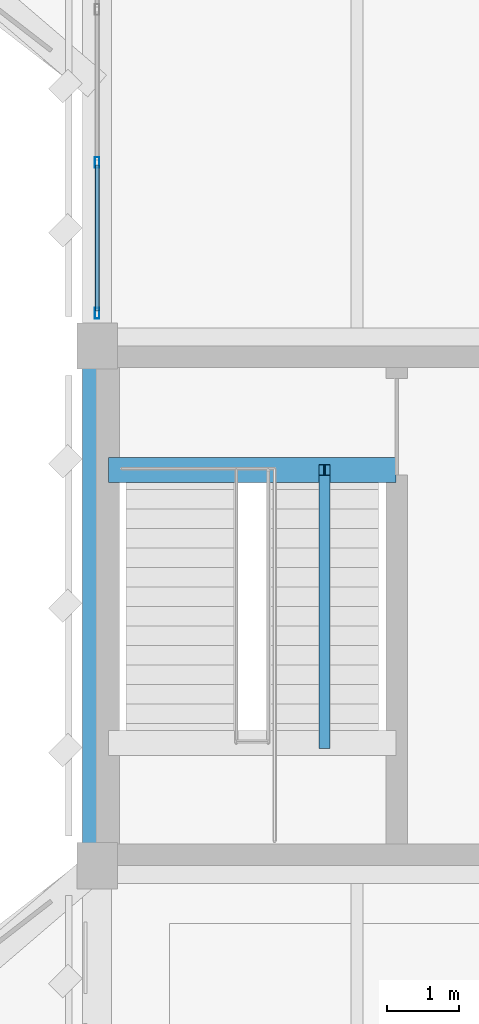
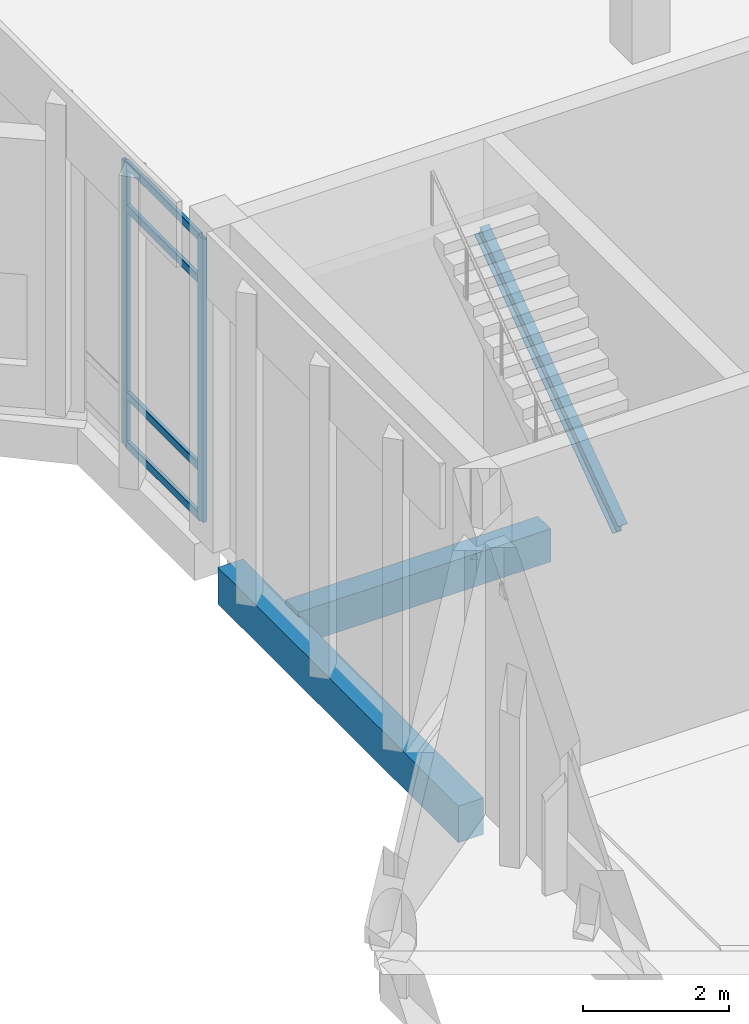
# One storey, part 53 of 180: 6 members, 3 beams, 1 element without a shape of its own.
"""IFC4 building model written with IfcOpenShell, lengths in metres."""

from ifc_helpers import new_model, si_unit, direction, frame, origin, origin_2d, place, context, subcontext, project, spatial, rectangle, hollow_rectangle, i_section, extrude, material, material_profile, profile_set, type_object, element, aggregate, save


model = new_model("IFC4")

# Units and contexts
model_context = context("Model", 3, precision=1e-05, world=origin(), true_north=direction((0.0, 1.0)))
body_context = subcontext(model_context, "Body", "Model", "MODEL_VIEW")
ifc_project = project(units=[si_unit("LENGTHUNIT", "METRE"), si_unit("AREAUNIT", "SQUARE_METRE"), si_unit("VOLUMEUNIT", "CUBIC_METRE"), si_unit("PLANEANGLEUNIT", "RADIAN"), si_unit("MASSUNIT", "GRAM", prefix="KILO")], contexts=[model_context])

# Site, building, storey
site_placement = place(None, origin())
site = spatial("IfcSite", under=ifc_project, at=site_placement, CompositionType="ELEMENT")
building_placement = place(site_placement, origin())
building = spatial("IfcBuilding", under=site, at=building_placement, Name="Lusvemor Sports Hall", CompositionType="ELEMENT")
storey_placement = place(building_placement, frame((0.0, 0.0, 5.39990234375)))
storey = spatial("IfcBuildingStorey", under=building, at=storey_placement, Name="L01", CompositionType="ELEMENT", Elevation=5.39990234375)

# Beam
ifc_material_1 = material(Name="Concrete C40/50", Category="concrete")
ifc_material_profile_1 = material_profile(ifc_material_1, rectangle(XDim=0.35009765625, YDim=0.550048828125, at=origin_2d()), Name="RC350x550")
ifc_profile_set_1 = profile_set([ifc_material_profile_1], Name="Concrete C40/50")
beam_type_1 = type_object("IfcBeamType", Name="BEAM_RC_550", PredefinedType="BEAM", material=ifc_profile_set_1)
beam_1_placement = place(storey_placement, frame((0.159912109375, 73.8798828125, -0.454833984375), z_axis=(1.0, 0.0, 0.0), x_axis=(0.0, 1.0, 0.0)))
element("IfcBeam", 1, at=beam_1_placement, inside=storey, type_object=beam_type_1, Name="Stair STR-C3-L00 Top-Landing Beam", PredefinedType="BEAM", context=body_context, shape_type="SweptSolid", body=[
    extrude(rectangle(XDim=0.35009765625, YDim=0.550048828125, at=origin_2d()), origin(), (0.0, 0.0, 1.0), 3.97998046875),
])

# Curtain wall, members
ifc_material_2 = material(Name="Thermally broken bronze-anodized aluminium", Category="aluminium")
curtain_wall_type = type_object("IfcCurtainWallType", Name="CW_WING_B", PredefinedType="NOTDEFINED", material=ifc_material_2)
curtain_wall_placement = place(storey_placement, origin())
curtain_wall = element("IfcCurtainWall", 2, at=curtain_wall_placement, inside=storey, type_object=curtain_wall_type, Name="Curtain Wall CW-L01-W-0-4", PredefinedType="NOTDEFINED")
ifc_material_3 = material(Name="Thermally broken bronze-anodized aluminium", Category="aluminium")
ifc_material_profile_2 = material_profile(ifc_material_3, hollow_rectangle(XDim=0.06494140625, YDim=0.14990234375, WallThickness=0.00390625, InnerFilletRadius=0.00390625, OuterFilletRadius=0.008056640625, at=origin_2d()), Name="CWMUL150x65x4")
ifc_profile_set_2 = profile_set([ifc_material_profile_2], Name="Thermally broken bronze-anodized aluminium")
member_type_1 = type_object("IfcMemberType", Name="CW_MUL_B", PredefinedType="MULLION", material=ifc_profile_set_2)
member_1_placement = place(storey_placement, frame((0.0, 76.052490234375, 0.0), z_axis=(0.0, 0.0, 1.0), x_axis=(-1.0, 0.0, 0.0)))
member_1 = element("IfcMember", 3, at=member_1_placement, type_object=member_type_1, Name="CW02 mullion 1", PredefinedType="MULLION", context=body_context, shape_type="SweptSolid", body=[
    extrude(hollow_rectangle(XDim=0.06494140625, YDim=0.14990234375, WallThickness=0.00390625, InnerFilletRadius=0.00390625, OuterFilletRadius=0.008056640625, at=origin_2d()), origin(), (0.0, 0.0, 1.0), 4.72021484375),
])
member_2_placement = place(storey_placement, frame((0.0, 78.139892578125, 0.0), z_axis=(0.0, 0.0, 1.0), x_axis=(-1.0, 0.0, 0.0)))
member_2 = element("IfcMember", 4, at=member_2_placement, type_object=member_type_1, Name="CW02 mullion 2", PredefinedType="MULLION", context=body_context, shape_type="SweptSolid", body=[
    extrude(hollow_rectangle(XDim=0.06494140625, YDim=0.14990234375, WallThickness=0.00390625, InnerFilletRadius=0.00390625, OuterFilletRadius=0.008056640625, at=origin_2d()), origin(), (0.0, 0.0, 1.0), 4.72021484375),
])
ifc_material_4 = material(Name="Thermally broken bronze-anodized aluminium", Category="aluminium")
ifc_material_profile_3 = material_profile(ifc_material_4, hollow_rectangle(XDim=0.06005859375, YDim=0.135009765625, WallThickness=0.00390625, InnerFilletRadius=0.00390625, OuterFilletRadius=0.008056640625, at=origin_2d()), Name="CWTRN135x60x4")
ifc_profile_set_3 = profile_set([ifc_material_profile_3], Name="Thermally broken bronze-anodized aluminium")
member_type_2 = type_object("IfcMemberType", Name="CW_TRN_B", PredefinedType="USERDEFINED", material=ifc_profile_set_3)
member_3_placement = place(storey_placement, frame((0.0, 76.0849609375, 0.030029296875), z_axis=(0.0, 1.0, 0.0), x_axis=(-1.0, 0.0, 0.0)))
member_3 = element("IfcMember", 5, at=member_3_placement, type_object=member_type_2, Name="CW02 transom 1.1", ObjectType="TRANSOM", PredefinedType="USERDEFINED", context=body_context, shape_type="SweptSolid", body=[
    extrude(hollow_rectangle(XDim=0.06005859375, YDim=0.135009765625, WallThickness=0.00390625, InnerFilletRadius=0.00390625, OuterFilletRadius=0.008056640625, at=origin_2d()), origin(), (0.0, 0.0, 1.0), 2.0224609375),
])
member_4_placement = place(storey_placement, frame((0.0, 76.0849609375, 0.85009765625), z_axis=(0.0, 1.0, 0.0), x_axis=(-1.0, 0.0, 0.0)))
member_4 = element("IfcMember", 6, at=member_4_placement, type_object=member_type_2, Name="CW02 transom 1.2", ObjectType="TRANSOM", PredefinedType="USERDEFINED", context=body_context, shape_type="SweptSolid", body=[
    extrude(hollow_rectangle(XDim=0.06005859375, YDim=0.135009765625, WallThickness=0.00390625, InnerFilletRadius=0.00390625, OuterFilletRadius=0.008056640625, at=origin_2d()), origin(), (0.0, 0.0, 1.0), 2.0224609375),
])
member_5_placement = place(storey_placement, frame((0.0, 76.0849609375, 3.97021484375), z_axis=(0.0, 1.0, 0.0), x_axis=(-1.0, 0.0, 0.0)))
member_5 = element("IfcMember", 7, at=member_5_placement, type_object=member_type_2, Name="CW02 transom 1.3", ObjectType="TRANSOM", PredefinedType="USERDEFINED", context=body_context, shape_type="SweptSolid", body=[
    extrude(hollow_rectangle(XDim=0.06005859375, YDim=0.135009765625, WallThickness=0.00390625, InnerFilletRadius=0.00390625, OuterFilletRadius=0.008056640625, at=origin_2d()), origin(), (0.0, 0.0, 1.0), 2.0224609375),
])
member_6_placement = place(storey_placement, frame((0.0, 76.0849609375, 4.690185546875), z_axis=(0.0, 1.0, 0.0), x_axis=(-1.0, 0.0, 0.0)))
member_6 = element("IfcMember", 8, at=member_6_placement, type_object=member_type_2, Name="CW02 transom 1.4", ObjectType="TRANSOM", PredefinedType="USERDEFINED", context=body_context, shape_type="SweptSolid", body=[
    extrude(hollow_rectangle(XDim=0.06005859375, YDim=0.135009765625, WallThickness=0.00390625, InnerFilletRadius=0.00390625, OuterFilletRadius=0.008056640625, at=origin_2d()), origin(), (0.0, 0.0, 1.0), 2.0224609375),
])
aggregate(curtain_wall, [member_1, member_2, member_3, member_4, member_5, member_6])

# Beams
ifc_material_5 = material(Name="Steel S355", Category="steel")
ifc_material_profile_4 = material_profile(ifc_material_5, i_section(OverallWidth=0.14794921875, OverallDepth=0.26611328125, WebThickness=0.007568359375, FlangeThickness=0.012939453125, FilletRadius=0.012939453125, at=origin_2d()), Name="W250x44.8")
ifc_profile_set_4 = profile_set([ifc_material_profile_4], Name="Steel S355")
beam_type_2 = type_object("IfcBeamType", Name="JOIST_ST_250M", PredefinedType="JOIST", material=ifc_profile_set_4)
beam_2_placement = place(storey_placement, frame((3.14990234375, 70.10009765625, 2.35498046875), z_axis=(0.0, 0.813697957744, 0.581287909356), x_axis=(-1.0, 0.0, 0.0)))
element("IfcBeam", 9, at=beam_2_placement, inside=storey, type_object=beam_type_2, Name="Stair STR-C3-L01 Flight 2 Stringer Beam", PredefinedType="JOIST", context=body_context, shape_type="SweptSolid", body=[
    extrude(i_section(OverallWidth=0.14794921875, OverallDepth=0.26611328125, WebThickness=0.007568359375, FlangeThickness=0.012939453125, FilletRadius=0.012939453125, at=origin_2d()), origin(), (0.0, 0.0, 1.0), 4.645263671875),
])
ifc_material_6 = material(Name="Concrete C40/50", Category="concrete")
ifc_material_profile_5 = material_profile(ifc_material_6, rectangle(XDim=0.39990234375, YDim=0.610107421875, at=origin_2d()), Name="RC400x610")
ifc_profile_set_5 = profile_set([ifc_material_profile_5], Name="Concrete C40/50")
beam_type_3 = type_object("IfcBeamType", Name="SPAND_EXT_650", PredefinedType="SPANDREL", material=ifc_profile_set_5)
beam_3_placement = place(storey_placement, frame((0.0, 68.716064453125, -0.56494140625), z_axis=(0.0, 1.0, 0.0), x_axis=(-1.0, 0.0, 0.0)))
element("IfcBeam", 10, at=beam_3_placement, inside=storey, type_object=beam_type_3, Name="Beam L01 1:J-K", PredefinedType="SPANDREL", context=body_context, shape_type="SweptSolid", body=[
    extrude(rectangle(XDim=0.39990234375, YDim=0.610107421875, at=origin_2d()), origin(), (0.0, 0.0, 1.0), 6.56787109375),
])

save(model, "model.ifc")
